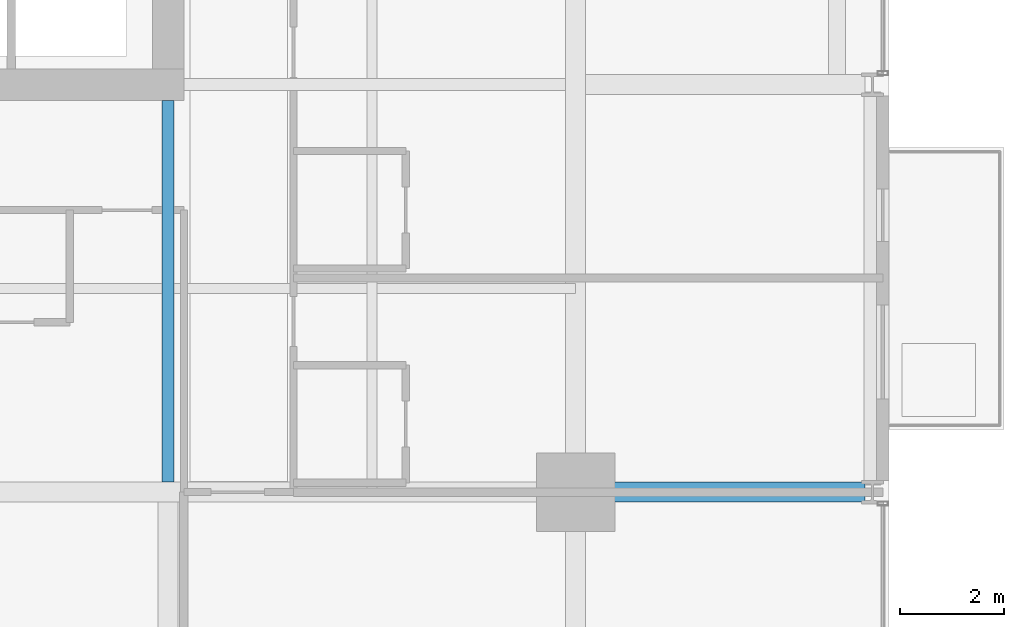
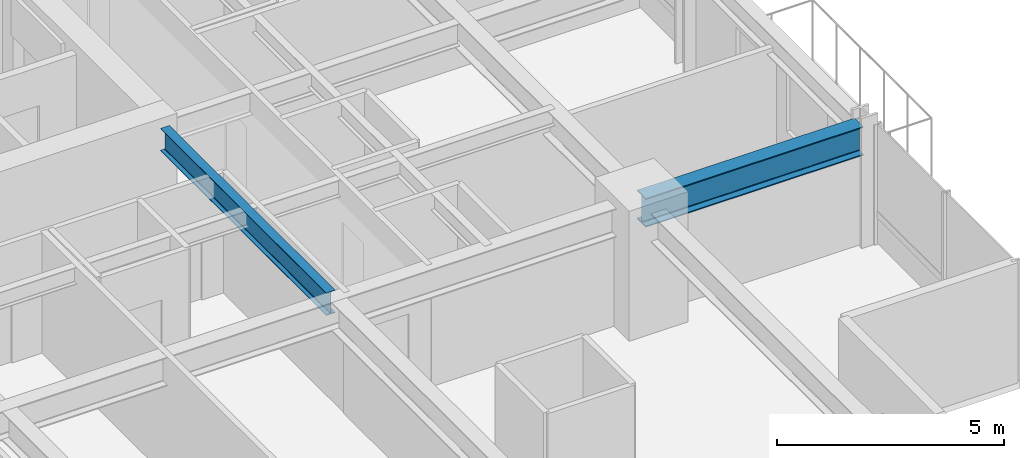
# One storey, part 12 of 35: 2 beams.
"""IFC4 building model written with IfcOpenShell, lengths in metres."""

from ifc_helpers import new_model, si_unit, direction, frame, origin, origin_2d, place, context, subcontext, project, spatial, i_section, extrude, material, material_profile, profile_set, type_object, element, save


model = new_model("IFC4")

# Units and contexts
model_context = context("Model", 3, precision=1e-05, world=origin(), true_north=direction((0.0, 1.0)))
body_context = subcontext(model_context, "Body", "Model", "MODEL_VIEW")
ifc_project = project(units=[si_unit("LENGTHUNIT", "METRE"), si_unit("AREAUNIT", "SQUARE_METRE"), si_unit("VOLUMEUNIT", "CUBIC_METRE"), si_unit("PLANEANGLEUNIT", "RADIAN"), si_unit("MASSUNIT", "GRAM", prefix="KILO")], contexts=[model_context])

# Site, building, storey
site_placement = place(None, origin())
site = spatial("IfcSite", under=ifc_project, at=site_placement, CompositionType="ELEMENT")
building_placement = place(site_placement, origin())
building = spatial("IfcBuilding", under=site, at=building_placement, Name="Drelvath Grand Hotel", CompositionType="ELEMENT")
storey_placement = place(building_placement, frame((0.0, 0.0, 95.300048828125)))
storey = spatial("IfcBuildingStorey", under=building, at=storey_placement, Name="L23", CompositionType="ELEMENT", Elevation=95.300048828125)

# Beams
ifc_material = material(Name="Steel ASTM A992 Gr 50", Category="steel")
ifc_material_profile_1 = material_profile(ifc_material, i_section(OverallWidth=0.228271484375, OverallDepth=0.607666015625, WebThickness=0.01123046875, FlangeThickness=0.017333984375, FilletRadius=0.02001953125, at=origin_2d()), Name="W24X76")
ifc_profile_set_1 = profile_set([ifc_material_profile_1], Name="Steel ASTM A992 Gr 50")
beam_type_1 = type_object("IfcBeamType", Name="Primary Floor Girder W24X76", PredefinedType="BEAM", material=ifc_profile_set_1)
beam_1_placement = place(storey_placement, frame((8.39990234375, 10.990234375, 2.93603515625), z_axis=(0.0, 1.0, 0.0), x_axis=(-1.0, 0.0, 0.0)))
element("IfcBeam", 1, at=beam_1_placement, inside=storey, type_object=beam_type_1, Name="L23 South Core Tie 6", PredefinedType="BEAM", context=body_context, shape_type="SweptSolid", body=[
    extrude(i_section(OverallWidth=0.228271484375, OverallDepth=0.607666015625, WebThickness=0.01123046875, FlangeThickness=0.017333984375, FilletRadius=0.02001953125, at=origin_2d()), origin(), (0.0, 0.0, 1.0), 7.309814453125),
])
ifc_material_profile_2 = material_profile(ifc_material, i_section(OverallWidth=0.380615234375, OverallDepth=0.773193359375, WebThickness=0.0166015625, FlangeThickness=0.027099609375, FilletRadius=0.02490234375, at=origin_2d()), Name="W30X173")
ifc_profile_set_2 = profile_set([ifc_material_profile_2], Name="Steel ASTM A992 Gr 50")
beam_type_2 = type_object("IfcBeamType", Name="Primary Floor Girder W30X173", PredefinedType="BEAM", material=ifc_profile_set_2)
beam_2_placement = place(storey_placement, frame((16.199951171875, 10.800048828125, 2.853271484375), z_axis=(1.0, 0.0, 0.0), x_axis=(0.0, 1.0, 0.0)))
element("IfcBeam", 2, at=beam_2_placement, inside=storey, type_object=beam_type_2, Name="L23 East Grid Girder C", PredefinedType="BEAM", context=body_context, shape_type="SweptSolid", body=[
    extrude(i_section(OverallWidth=0.380615234375, OverallDepth=0.773193359375, WebThickness=0.0166015625, FlangeThickness=0.027099609375, FilletRadius=0.02490234375, at=origin_2d()), origin(), (0.0, 0.0, 1.0), 5.5400390625),
])

save(model, "model.ifc")
